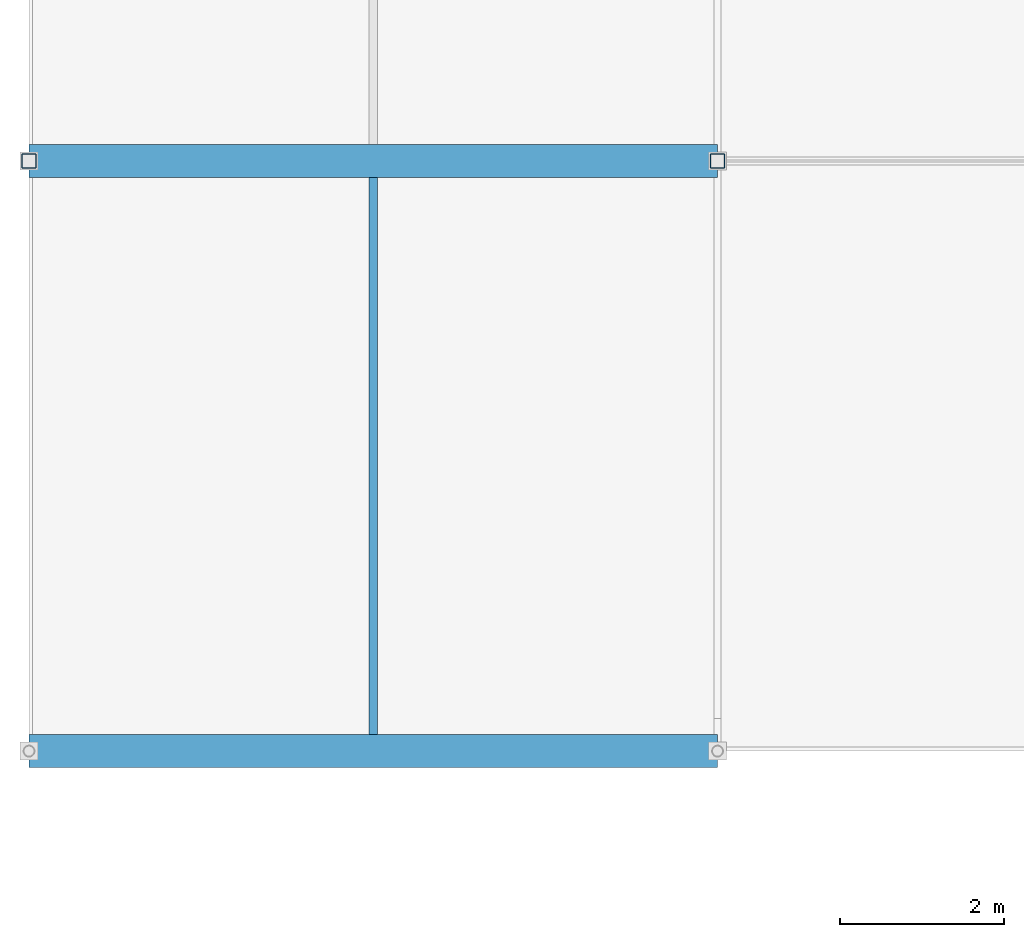
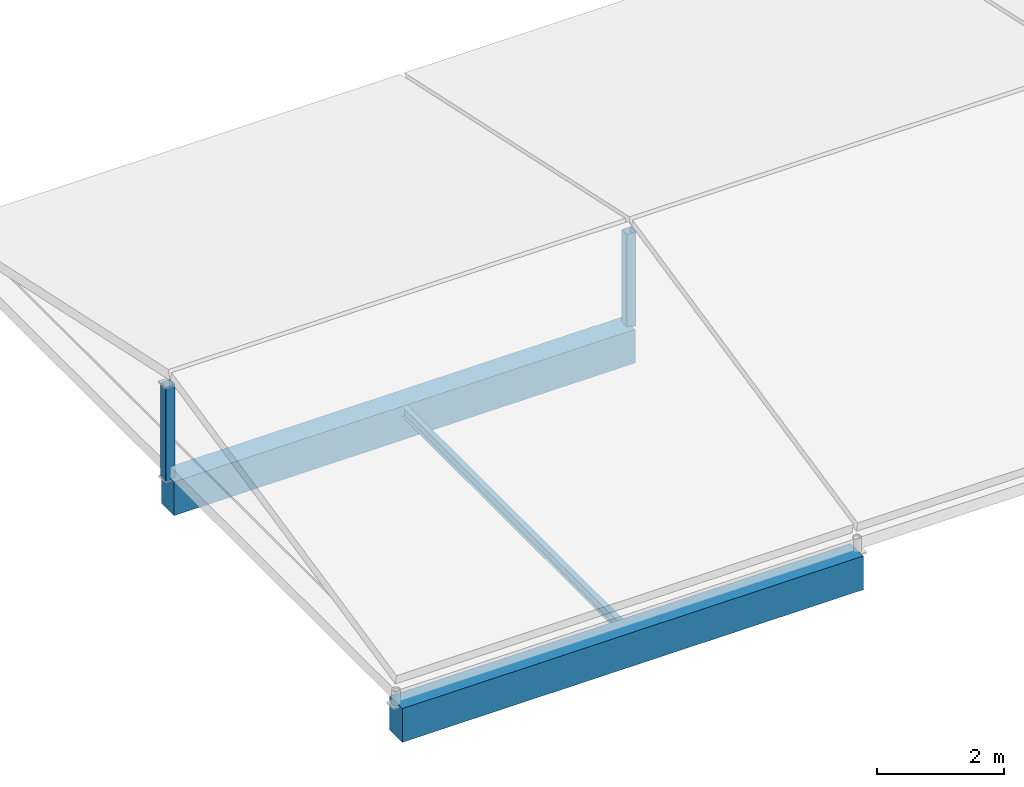
# One storey, part 1 of 11: 3 beams, 2 members.
"""IFC4 building model written with IfcOpenShell, lengths in metres."""

import ifcopenshell
import ifcopenshell.guid

model = None  # the IFC model being written
_history = None  # IfcOwnerHistory: only IFC2X3 demands one
_inside = {}  # id of a spatial element -> (the spatial element, [elements in it])
_under = {}  # id of a project, library or spatial element -> (it, [spatial elements below it])
_declared = {}  # id of a project -> (the project, [libraries it declares])
_typed = {}  # id of a type object -> (the type object, [elements of that type])
_made_of = {}  # id of a material, layer set ... -> (it, [elements and type objects made of it])


def new_model(schema):
    """Start an empty IFC model of exactly this schema.

    Asked for "IFC4X3", IfcOpenShell would pick the latest addendum, in which some entities
    have other attributes; the version numbers below select the first issue.
    IFC2X3 requires an IfcOwnerHistory on every rooted entity: one is made here for all.
    """
    global model, _history
    if schema == "IFC4X3":
        model = ifcopenshell.file(schema_version=(4, 3, 0, 0))
    else:
        model = ifcopenshell.file(schema=schema)
    _inside.clear()
    _under.clear()
    _declared.clear()
    _typed.clear()
    _made_of.clear()
    _history = None
    if model.schema == "IFC2X3":
        org = make("IfcOrganization", Name="unknown")
        user = make(
            "IfcPersonAndOrganization",
            ThePerson=make("IfcPerson", FamilyName="unknown"),
            TheOrganization=org,
        )
        app = make(
            "IfcApplication",
            ApplicationDeveloper=org,
            Version="unknown",
            ApplicationFullName="unknown",
            ApplicationIdentifier="unknown",
        )
        _history = make(
            "IfcOwnerHistory",
            OwningUser=user,
            OwningApplication=app,
            ChangeAction="ADDED",
            CreationDate=0,
        )
    return model


def make(cls, **values):
    """One entity of the class cls with the attributes given. An attribute that is None is left unset."""
    return model.create_entity(
        cls, **{name: value for name, value in values.items() if value is not None}
    )


def rooted(cls, **values):
    """An entity with a GlobalId (a new one), such as an element, a storey or a relation."""
    return make(cls, GlobalId=ifcopenshell.guid.new(), OwnerHistory=_history, **values)


def si_unit(unit_type, name, prefix=None):
    """IfcSIUnit, for example si_unit("LENGTHUNIT", "METRE", prefix="MILLI")."""
    return make("IfcSIUnit", UnitType=unit_type, Prefix=prefix, Name=name)


def assignment(units):
    """IfcUnitAssignment: the units of a project."""
    return None if units is None else make("IfcUnitAssignment", Units=units)


def point(xyz):
    """IfcCartesianPoint."""
    return None if xyz is None else make("IfcCartesianPoint", Coordinates=xyz)


def direction(xyz):
    """IfcDirection."""
    return None if xyz is None else make("IfcDirection", DirectionRatios=xyz)


def frame(location, z_axis=None, x_axis=None):
    """IfcAxis2Placement3D, a coordinate frame: its origin and axes. An axis left out is left unset."""
    return make(
        "IfcAxis2Placement3D",
        Location=point(location),
        Axis=direction(z_axis),
        RefDirection=direction(x_axis),
    )


def frame_2d(location, x_axis=None):
    """IfcAxis2Placement2D, a coordinate frame in the plane: its origin and x axis."""
    return make(
        "IfcAxis2Placement2D", Location=point(location), RefDirection=direction(x_axis)
    )


def origin():
    """The frame at (0, 0, 0) with its axes left unset."""
    return frame((0.0, 0.0, 0.0))


def origin_2d():
    """The frame at (0, 0) in the plane with its x axis left unset."""
    return frame_2d((0.0, 0.0))


def place(relative_to, where):
    """IfcLocalPlacement: puts the frame where relative to a parent placement (None: the world)."""
    return make(
        "IfcLocalPlacement", PlacementRelTo=relative_to, RelativePlacement=where
    )


def context(
    kind, dimensions, precision=None, world=None, true_north=None, identifier=None
):
    """IfcGeometricRepresentationContext, for example the 3D "Model" context."""
    return make(
        "IfcGeometricRepresentationContext",
        ContextIdentifier=identifier,
        ContextType=kind,
        CoordinateSpaceDimension=dimensions,
        Precision=precision,
        WorldCoordinateSystem=world,
        TrueNorth=true_north,
    )


def subcontext(parent, identifier, kind, view, scale=None):
    """IfcGeometricRepresentationSubContext, for example "Body" below "Model"."""
    return make(
        "IfcGeometricRepresentationSubContext",
        ContextIdentifier=identifier,
        ContextType=kind,
        ParentContext=parent,
        TargetScale=scale,
        TargetView=view,
    )


def project(units=None, contexts=None):
    """IfcProject with its units and contexts."""
    return rooted(
        "IfcProject",
        Name="project",
        RepresentationContexts=contexts,
        UnitsInContext=assignment(units),
    )


def spatial(cls, under=None, at=None, **own):
    """A site, building, storey or space (cls), placed at a placement, below another one or the project."""
    s = rooted(cls, ObjectPlacement=at, **own)
    if under is not None:
        _under.setdefault(under.id(), (under, []))[1].append(s)
    return s


def profile(cls, at=None, kind="AREA", **sizes):
    """A parametric profile (cls). Its sizes go by their IFC names, for example OverallWidth=200.0."""
    return make(cls, ProfileType=kind, Position=at, **sizes)


def rectangle(**sizes):
    """IfcRectangleProfileDef."""
    return profile("IfcRectangleProfileDef", **sizes)


def hollow_rectangle(**sizes):
    """IfcRectangleHollowProfileDef."""
    return profile("IfcRectangleHollowProfileDef", **sizes)


def i_section(**sizes):
    """IfcIShapeProfileDef."""
    return profile("IfcIShapeProfileDef", **sizes)


def extrude(swept, where, along, depth):
    """IfcExtrudedAreaSolid: the profile swept, set in the frame where, extruded along a direction by depth."""
    return make(
        "IfcExtrudedAreaSolid",
        SweptArea=swept,
        Position=where,
        ExtrudedDirection=direction(along),
        Depth=depth,
    )


def shape(context_of_items, identifier, shape_type, items):
    """IfcShapeRepresentation: the items that make up one representation, for example the "Body"."""
    return make(
        "IfcShapeRepresentation",
        ContextOfItems=context_of_items,
        RepresentationIdentifier=identifier,
        RepresentationType=shape_type,
        Items=items,
    )


def material(Name=None, Category=None):
    """IfcMaterial."""
    return make("IfcMaterial", Name=Name, Category=Category)


def material_profile(
    of_material, cross_section, Name=None, Category=None, Priority=None
):
    """IfcMaterialProfile: a cross section and its material."""
    return make(
        "IfcMaterialProfile",
        Name=Name,
        Material=of_material,
        Profile=cross_section,
        Priority=Priority,
        Category=Category,
    )


def profile_set(profiles, Name=None, composite=None):
    """IfcMaterialProfileSet."""
    return make(
        "IfcMaterialProfileSet",
        Name=Name,
        MaterialProfiles=profiles,
        CompositeProfile=composite,
    )


def made_of(thing, what):
    """Note that an element or type object is made of a material, layer set ...; save() writes the relation."""
    if what is not None:
        _made_of.setdefault(what.id(), (what, []))[1].append(thing)
    return thing


def type_object(cls, material=None, **own):
    """A type object (cls), such as IfcWallType, which elements share."""
    return made_of(rooted(cls, **own), material)


def element(
    cls,
    number,
    at=None,
    inside=None,
    cuts=None,
    type_object=None,
    material=None,
    context=None,
    identifier="Body",
    shape_type=None,
    held_by="IfcProductDefinitionShape",
    body=None,
    shapes=None,
    **own,
):
    """One element of the class cls, such as IfcWall. Its Tag is "e" and its number.

    at: its placement. inside: the storey or other place that contains it. cuts: it is an
    opening in that element (IfcRelVoidsElement). A single representation is given by context,
    identifier, shape_type and body (its items); several are given by shapes. held_by: the class
    of the entity that holds the representations. save() writes the other relations.
    """
    e = rooted(cls, Tag="e%d" % number, ObjectPlacement=at, **own)
    if body is not None:
        shapes = [shape(context, identifier, shape_type, body)]
    if shapes is not None:
        e.Representation = make(held_by, Representations=shapes)
    if inside is not None:
        _inside.setdefault(inside.id(), (inside, []))[1].append(e)
    if cuts is not None:
        rooted(
            "IfcRelVoidsElement", RelatingBuildingElement=cuts, RelatedOpeningElement=e
        )
    if type_object is not None:
        _typed.setdefault(type_object.id(), (type_object, []))[1].append(e)
    return made_of(e, material)


def aggregate(whole, parts):
    """IfcRelAggregates: a whole, such as a stair, and the parts it consists of."""
    return rooted("IfcRelAggregates", RelatingObject=whole, RelatedObjects=parts)


def save(model, path):
    """Write the relations noted so far, then the file.

    IfcRelAggregates (storeys below a building ...), IfcRelContainedInSpatialStructure (elements
    in a storey), IfcRelDefinesByType, IfcRelAssociatesMaterial and IfcRelDeclares: one each for
    every whole, place, type object, material and project.
    """
    for whole, parts in _under.values():
        aggregate(whole, parts)
    for where, things in _inside.values():
        rooted(
            "IfcRelContainedInSpatialStructure",
            RelatedElements=things,
            RelatingStructure=where,
        )
    for kind, things in _typed.values():
        rooted("IfcRelDefinesByType", RelatedObjects=things, RelatingType=kind)
    for what, things in _made_of.values():
        rooted("IfcRelAssociatesMaterial", RelatedObjects=things, RelatingMaterial=what)
    for by, libraries in _declared.values():
        rooted("IfcRelDeclares", RelatingContext=by, RelatedDefinitions=libraries)
    model.write(path)


model = new_model("IFC4")

# Units and contexts
model_context = context("Model", 3, precision=1e-05, world=origin(), true_north=direction((0.0, 1.0)))
body_context = subcontext(model_context, "Body", "Model", "MODEL_VIEW")
ifc_project = project(units=[si_unit("LENGTHUNIT", "METRE"), si_unit("AREAUNIT", "SQUARE_METRE"), si_unit("VOLUMEUNIT", "CUBIC_METRE"), si_unit("PLANEANGLEUNIT", "RADIAN"), si_unit("MASSUNIT", "GRAM", prefix="KILO")], contexts=[model_context])

# Site, building, storey
site_placement = place(None, origin())
site = spatial("IfcSite", under=ifc_project, at=site_placement, CompositionType="ELEMENT")
building_placement = place(site_placement, origin())
building = spatial("IfcBuilding", under=site, at=building_placement, Name="Kisaragi Civic Commons", CompositionType="ELEMENT")
storey_placement = place(building_placement, frame((0.0, 0.0, 21.60009765625)))
storey = spatial("IfcBuildingStorey", under=building, at=storey_placement, Name="RF", CompositionType="ELEMENT", Elevation=21.60009765625)

# Beams
ifc_material_1 = material(Name="Concrete Fc30", Category="concrete")
ifc_material_profile_1 = material_profile(ifc_material_1, rectangle(XDim=0.39990234375, YDim=0.64990234375, at=origin_2d()), Name="RC-400x650", Category="concrete")
ifc_profile_set_1 = profile_set([ifc_material_profile_1], Name="Concrete Fc30")
beam_type_1 = type_object("IfcBeamType", Name="G-05", PredefinedType="BEAM", material=ifc_profile_set_1)
for number, where, z_axis, x_axis, name in (
    (1, (97.199951171875, 104.39990234375, -0.545166015625), (1.0, 0.0, 0.0), (0.0, 1.0, 0.0), "RF girder G-05 349"),
    (2, (97.199951171875, 111.60009765625, -0.545166015625), (1.0, 0.0, 0.0), (0.0, 1.0, 0.0), "RF girder G-05 351"),
):
    element("IfcBeam", number, at=place(storey_placement, frame(where, z_axis=z_axis, x_axis=x_axis)), inside=storey, type_object=beam_type_1, Name=name, PredefinedType="BEAM", context=body_context, shape_type="SweptSolid", body=[
        extrude(rectangle(XDim=0.39990234375, YDim=0.64990234375, at=origin_2d()), origin(), (0.0, 0.0, 1.0), 8.400146484375),
    ])
ifc_material_2 = material(Name="Steel SN400 (SN400B)", Category="steel")
ifc_material_profile_2 = material_profile(ifc_material_2, i_section(OverallWidth=0.10009765625, OverallDepth=0.199951171875, WebThickness=0.005615234375, FlangeThickness=0.008056640625, FilletRadius=0.008056640625, at=origin_2d()), Name="H-200x100x5.5x8", Category="steel")
ifc_profile_set_2 = profile_set([ifc_material_profile_2], Name="Steel SN400 (SN400B)")
beam_type_2 = type_object("IfcBeamType", Name="J-06", PredefinedType="JOIST", material=ifc_profile_set_2)
beam_placement = place(storey_placement, frame((101.39990234375, 104.60009765625, -0.320068359375), z_axis=(0.0, 1.0, 0.0), x_axis=(-1.0, 0.0, 0.0)))
element("IfcBeam", 3, at=beam_placement, inside=storey, type_object=beam_type_2, Name="RF secondary steel joist J-06 84", PredefinedType="JOIST", context=body_context, shape_type="SweptSolid", body=[
    extrude(i_section(OverallWidth=0.10009765625, OverallDepth=0.199951171875, WebThickness=0.005615234375, FlangeThickness=0.008056640625, FilletRadius=0.008056640625, at=origin_2d()), origin(), (0.0, 0.0, 1.0), 6.7998046875),
])

# Members
ifc_material_3 = material(Name="Steel STKR400", Category="steel")
ifc_material_profile_3 = material_profile(ifc_material_3, hollow_rectangle(XDim=0.175048828125, YDim=0.175048828125, WallThickness=0.006103515625, InnerFilletRadius=0.006103515625, OuterFilletRadius=0.011962890625, at=origin_2d()), Name="STKR-175x175x6", Category="steel")
ifc_profile_set_3 = profile_set([ifc_material_profile_3], Name="Steel STKR400")
member_type = type_object("IfcMemberType", Name="ST-C2", PredefinedType="STRUT", material=ifc_profile_set_3)
for number, where, z_axis, x_axis, name in (
    (4, (97.199951171875, 111.60009765625, -0.25), (0.0, 0.0, 1.0), (1.0, 0.0, 0.0), "RF solar canopy post (97.2,111.6)"),
    (5, (105.60009765625, 111.60009765625, -0.25), (0.0, 0.0, 1.0), (1.0, 0.0, 0.0), "RF solar canopy post (105.6,111.6)"),
):
    element("IfcMember", number, at=place(storey_placement, frame(where, z_axis=z_axis, x_axis=x_axis)), inside=storey, type_object=member_type, Name=name, PredefinedType="STRUT", context=body_context, shape_type="SweptSolid", body=[
        extrude(hollow_rectangle(XDim=0.175048828125, YDim=0.175048828125, WallThickness=0.006103515625, InnerFilletRadius=0.006103515625, OuterFilletRadius=0.011962890625, at=origin_2d()), origin(), (0.0, 0.0, 1.0), 1.809814453125),
    ])

save(model, "model.ifc")
